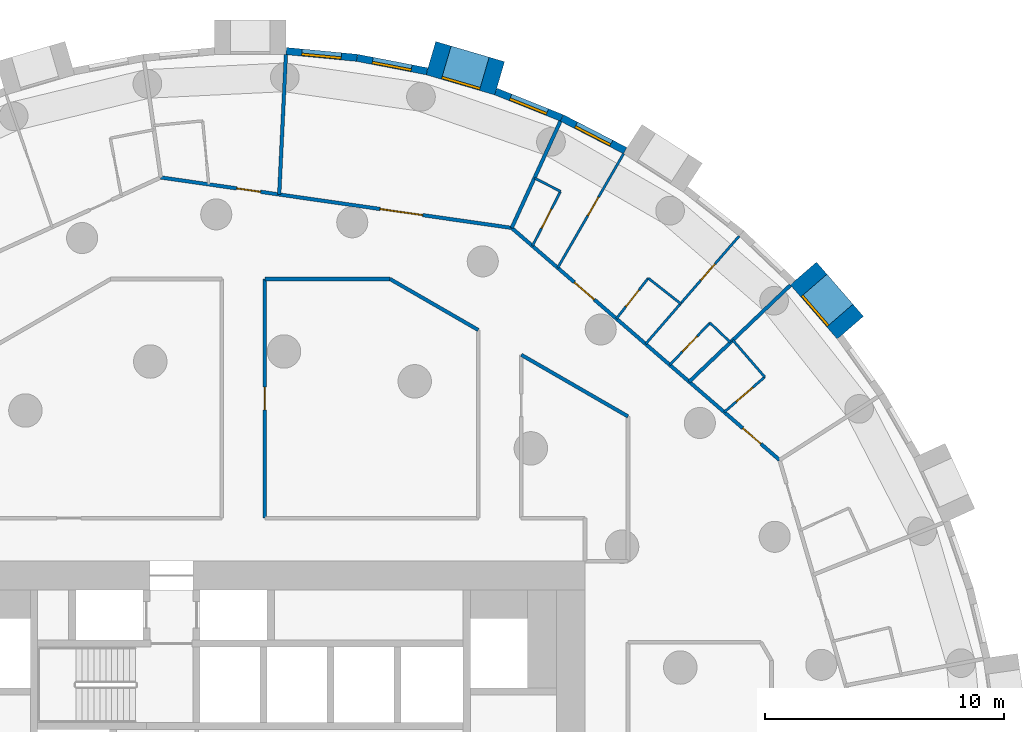
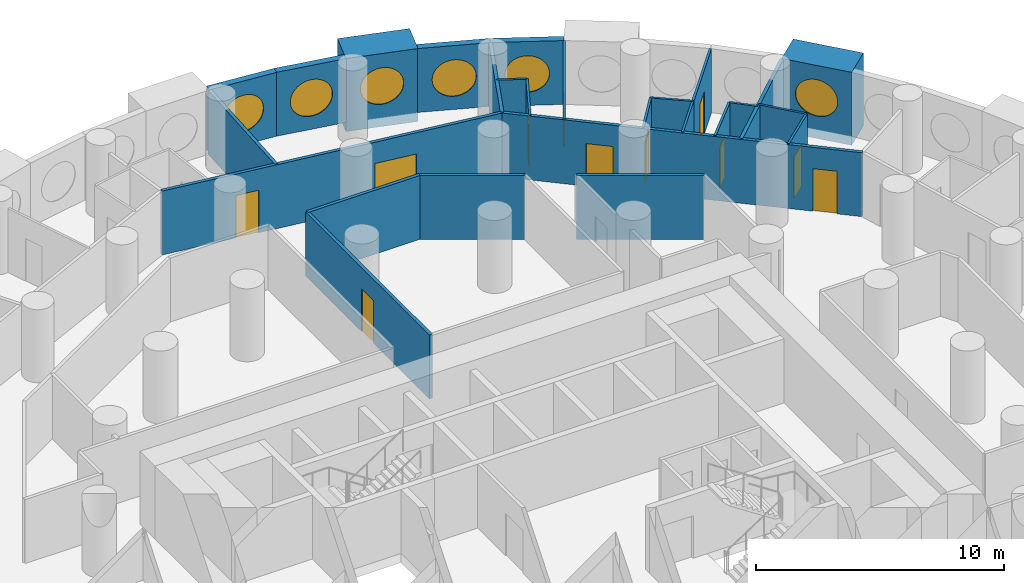
# One storey, part 10 of 12: 26 walls, 11 doors, 6 windows, 17 openings.
"""IFC4 building model written with IfcOpenShell, lengths in metres."""

from ifc_helpers import new_model, si_unit, direction, frame, frame_2d, origin, origin_2d, place, context, subcontext, project, spatial, rectangle, circle, extrude, material, layer, layer_set, type_object, element, fill, save


model = new_model("IFC4")

# Units and contexts
model_context = context("Model", 3, precision=1e-05, world=origin(), true_north=direction((0.0, 1.0)))
body_context = subcontext(model_context, "Body", "Model", "MODEL_VIEW")
ifc_project = project(units=[si_unit("LENGTHUNIT", "METRE"), si_unit("AREAUNIT", "SQUARE_METRE"), si_unit("VOLUMEUNIT", "CUBIC_METRE"), si_unit("PLANEANGLEUNIT", "RADIAN"), si_unit("MASSUNIT", "GRAM", prefix="KILO")], contexts=[model_context])

# Site, building, storey
site_placement = place(None, origin())
site = spatial("IfcSite", under=ifc_project, at=site_placement, CompositionType="ELEMENT")
building_placement = place(site_placement, origin())
building = spatial("IfcBuilding", under=site, at=building_placement, Name="Tracery Tower", CompositionType="ELEMENT")
storey_placement = place(building_placement, frame((0.0, 0.0, 111.0)))
storey = spatial("IfcBuildingStorey", under=building, at=storey_placement, Name="L28", CompositionType="ELEMENT", Elevation=111.0)

# Wall, opening, window
ifc_material_1 = material(Name="Precast concrete C50/60", Category="concrete")
ifc_layer_1 = layer(ifc_material_1, 1.449951171875)
ifc_layer_set_1 = layer_set([ifc_layer_1], Name="Deep-set bay unit 3000 x 3600, slab edge 450")
wall_type_1 = type_object("IfcWallType", Name="Deep-set bay unit 3000 x 3600, slab edge 450", PredefinedType="ELEMENTEDWALL", material=ifc_layer_set_1)
wall_1_placement = place(storey_placement, frame((25.101318359375, 19.765625, -0.449951171875), z_axis=(0.0, 0.0, 1.0), x_axis=(-0.654890259022, 0.75572398972, 0.0)))
wall_1 = element("IfcWall", 1, at=wall_1_placement, inside=storey, type_object=wall_type_1, Name="Deep-set bay unit 8 at L28", PredefinedType="ELEMENTEDWALL", context=body_context, shape_type="SweptSolid", body=[
    extrude(rectangle(XDim=3.0, YDim=1.449951171875, at=frame_2d((1.5, 0.0))), origin(), (0.0, 0.0, 1.0), 3.599853515625),
])
opening_1_placement = place(wall_1_placement, frame((1.5, 0.0, 2.0)))
opening_1 = element("IfcOpeningElement", 2, at=opening_1_placement, cuts=wall_1, Name="Opening WN1", PredefinedType="OPENING", context=body_context, shape_type="SweptSolid", body=[
    extrude(circle(Radius=0.9000244140625, at=origin_2d()), frame((0.0, 0.73486328125, 0.0), z_axis=(0.0, -1.0, 0.0), x_axis=(1.0, 0.0, 0.0)), (0.0, 0.0, 1.0), 1.469970703125),
])
ifc_material_2 = material(Name="Aluminium frame with tinted double glazing", Category="aluminium")
window_type = type_object("IfcWindowType", Name="Round window 1800", PartitioningType="SINGLE_PANEL", PredefinedType="WINDOW", material=ifc_material_2)
window_1_placement = place(opening_1_placement, origin())
window_1 = element("IfcWindow", 3, at=window_1_placement, inside=storey, type_object=window_type, Name="Round window 8 at L28", OverallHeight=1.800048828125, OverallWidth=1.800048828125, PartitioningType="SINGLE_PANEL", PredefinedType="WINDOW", context=body_context, shape_type="SweptSolid", body=[
    extrude(circle(Radius=0.9000244140625, at=origin_2d()), frame((0.0, 0.69482421875, 0.0), z_axis=(0.0, -1.0, 0.0), x_axis=(1.0, 0.0, 0.0)), (0.0, 0.0, 1.0), 0.10009765625),
])
fill(opening_1, window_1)

wall_2_placement = place(storey_placement, frame((10.430419921875, 30.198486328125, -0.449951171875), z_axis=(0.0, 0.0, 1.0), x_axis=(-0.959489813418, 0.281743319258, 0.0)))
wall_2 = element("IfcWall", 4, at=wall_2_placement, inside=storey, type_object=wall_type_1, Name="Deep-set bay unit 14 at L28", PredefinedType="ELEMENTEDWALL", context=body_context, shape_type="SweptSolid", body=[
    extrude(rectangle(XDim=3.0, YDim=1.449951171875, at=frame_2d((1.5, 0.0))), origin(), (0.0, 0.0, 1.0), 3.599853515625),
])
opening_2_placement = place(wall_2_placement, frame((1.5, 0.0, 2.0)))
opening_2 = element("IfcOpeningElement", 5, at=opening_2_placement, cuts=wall_2, Name="Opening WN1", PredefinedType="OPENING", context=body_context, shape_type="SweptSolid", body=[
    extrude(circle(Radius=0.9000244140625, at=origin_2d()), frame((0.0, 0.73486328125, 0.0), z_axis=(0.0, -1.0, 0.0), x_axis=(1.0, 0.0, 0.0)), (0.0, 0.0, 1.0), 1.469970703125),
])
window_2_placement = place(opening_2_placement, origin())
window_2 = element("IfcWindow", 6, at=window_2_placement, inside=storey, type_object=window_type, Name="Round window 14 at L28", OverallHeight=1.800048828125, OverallWidth=1.800048828125, PartitioningType="SINGLE_PANEL", PredefinedType="WINDOW", context=body_context, shape_type="SweptSolid", body=[
    extrude(circle(Radius=0.9000244140625, at=origin_2d()), frame((0.0, 0.69482421875, 0.0), z_axis=(0.0, -1.0, 0.0), x_axis=(1.0, 0.0, 0.0)), (0.0, 0.0, 1.0), 0.10009765625),
])
fill(opening_2, window_2)

ifc_material_3 = material(Name="Precast concrete C50/60", Category="concrete")
ifc_layer_2 = layer(ifc_material_3, 0.300048828125)
ifc_layer_set_2 = layer_set([ifc_layer_2], Name="Facade panel 3000 x 3150")
wall_type_2 = type_object("IfcWallType", Name="Facade panel 3000 x 3150", PredefinedType="SOLIDWALL", material=ifc_layer_set_2)
wall_3_placement = place(storey_placement, frame((15.681884765625, 27.173828125, 0.0), z_axis=(0.0, 0.0, 1.0), x_axis=(-0.888819853856, 0.458256770153, 0.0)))
wall_3 = element("IfcWall", 7, at=wall_3_placement, inside=storey, type_object=wall_type_2, Name="Facade panel 12 at L28", PredefinedType="SOLIDWALL", context=body_context, shape_type="SweptSolid", body=[
    extrude(rectangle(XDim=2.979736328125, YDim=0.300048828125, at=frame_2d((1.48974609375, 0.0))), origin(), (0.0, 0.0, 1.0), 3.14990234375),
])
opening_3_placement = place(wall_3_placement, frame((1.48974609375, 0.0, 1.5498046875)))
opening_3 = element("IfcOpeningElement", 8, at=opening_3_placement, cuts=wall_3, Name="Opening WN1", PredefinedType="OPENING", context=body_context, shape_type="SweptSolid", body=[
    extrude(circle(Radius=0.9000244140625, at=origin_2d()), frame((0.0, 0.159912109375, 0.0), z_axis=(0.0, -1.0, 0.0), x_axis=(1.0, 0.0, 0.0)), (0.0, 0.0, 1.0), 0.320068359375),
])
window_3_placement = place(opening_3_placement, origin())
window_3 = element("IfcWindow", 9, at=window_3_placement, inside=storey, type_object=window_type, Name="Round window 12 at L28", OverallHeight=1.800048828125, OverallWidth=1.800048828125, PartitioningType="SINGLE_PANEL", PredefinedType="WINDOW", context=body_context, shape_type="SweptSolid", body=[
    extrude(circle(Radius=0.9000244140625, at=origin_2d()), frame((0.0, 0.1201171875, 0.0), z_axis=(0.0, -1.0, 0.0), x_axis=(1.0, 0.0, 0.0)), (0.0, 0.0, 1.0), 0.10009765625),
])
fill(opening_3, window_3)

wall_4_placement = place(storey_placement, frame((13.033447265625, 28.539306640625, 0.0), z_axis=(0.0, 0.0, 1.0), x_axis=(-0.928403213937, 0.371574316054, 0.0)))
wall_4 = element("IfcWall", 10, at=wall_4_placement, inside=storey, type_object=wall_type_2, Name="Facade panel 13 at L28", PredefinedType="SOLIDWALL", context=body_context, shape_type="SweptSolid", body=[
    extrude(rectangle(XDim=2.979736328125, YDim=0.300048828125, at=frame_2d((1.48974609375, 0.0))), origin(), (0.0, 0.0, 1.0), 3.14990234375),
])
opening_4_placement = place(wall_4_placement, frame((1.48974609375, 0.0, 1.5498046875)))
opening_4 = element("IfcOpeningElement", 11, at=opening_4_placement, cuts=wall_4, Name="Opening WN1", PredefinedType="OPENING", context=body_context, shape_type="SweptSolid", body=[
    extrude(circle(Radius=0.9000244140625, at=origin_2d()), frame((0.0, 0.159912109375, 0.0), z_axis=(0.0, -1.0, 0.0), x_axis=(1.0, 0.0, 0.0)), (0.0, 0.0, 1.0), 0.320068359375),
])
window_4_placement = place(opening_4_placement, origin())
window_4 = element("IfcWindow", 12, at=window_4_placement, inside=storey, type_object=window_type, Name="Round window 13 at L28", OverallHeight=1.800048828125, OverallWidth=1.800048828125, PartitioningType="SINGLE_PANEL", PredefinedType="WINDOW", context=body_context, shape_type="SweptSolid", body=[
    extrude(circle(Radius=0.9000244140625, at=origin_2d()), frame((0.0, 0.1201171875, 0.0), z_axis=(0.0, -1.0, 0.0), x_axis=(1.0, 0.0, 0.0)), (0.0, 0.0, 1.0), 0.10009765625),
])
fill(opening_4, window_4)

wall_5_placement = place(storey_placement, frame((7.390869140625, 30.4912109375, 0.0), z_axis=(0.0, 0.0, 1.0), x_axis=(-0.981924535406, 0.189272836848, 0.0)))
wall_5 = element("IfcWall", 13, at=wall_5_placement, inside=storey, type_object=wall_type_2, Name="Facade panel 15 at L28", PredefinedType="SOLIDWALL", context=body_context, shape_type="SweptSolid", body=[
    extrude(rectangle(XDim=2.979736328125, YDim=0.300048828125, at=frame_2d((1.48974609375, 0.0))), origin(), (0.0, 0.0, 1.0), 3.14990234375),
])
opening_5_placement = place(wall_5_placement, frame((1.48974609375, 0.0, 1.5498046875)))
opening_5 = element("IfcOpeningElement", 14, at=opening_5_placement, cuts=wall_5, Name="Opening WN1", PredefinedType="OPENING", context=body_context, shape_type="SweptSolid", body=[
    extrude(circle(Radius=0.9000244140625, at=origin_2d()), frame((0.0, 0.159912109375, 0.0), z_axis=(0.0, -1.0, 0.0), x_axis=(1.0, 0.0, 0.0)), (0.0, 0.0, 1.0), 0.320068359375),
])
window_5_placement = place(opening_5_placement, origin())
window_5 = element("IfcWindow", 15, at=window_5_placement, inside=storey, type_object=window_type, Name="Round window 15 at L28", OverallHeight=1.800048828125, OverallWidth=1.800048828125, PartitioningType="SINGLE_PANEL", PredefinedType="WINDOW", context=body_context, shape_type="SweptSolid", body=[
    extrude(circle(Radius=0.9000244140625, at=origin_2d()), frame((0.0, 0.1201171875, 0.0), z_axis=(0.0, -1.0, 0.0), x_axis=(1.0, 0.0, 0.0)), (0.0, 0.0, 1.0), 0.10009765625),
])
fill(opening_5, window_5)

wall_6_placement = place(storey_placement, frame((4.465087890625, 31.05517578125, 0.0), z_axis=(0.0, 0.0, 1.0), x_axis=(-0.995473351551, 0.095041077185, 0.0)))
wall_6 = element("IfcWall", 16, at=wall_6_placement, inside=storey, type_object=wall_type_2, Name="Facade panel 16 at L28", PredefinedType="SOLIDWALL", context=body_context, shape_type="SweptSolid", body=[
    extrude(rectangle(XDim=2.979736328125, YDim=0.300048828125, at=frame_2d((1.48974609375, 0.0))), origin(), (0.0, 0.0, 1.0), 3.14990234375),
])
opening_6_placement = place(wall_6_placement, frame((1.48974609375, 0.0, 1.5498046875)))
opening_6 = element("IfcOpeningElement", 17, at=opening_6_placement, cuts=wall_6, Name="Opening WN1", PredefinedType="OPENING", context=body_context, shape_type="SweptSolid", body=[
    extrude(circle(Radius=0.9000244140625, at=origin_2d()), frame((0.0, 0.159912109375, 0.0), z_axis=(0.0, -1.0, 0.0), x_axis=(1.0, 0.0, 0.0)), (0.0, 0.0, 1.0), 0.320068359375),
])
window_6_placement = place(opening_6_placement, origin())
window_6 = element("IfcWindow", 18, at=window_6_placement, inside=storey, type_object=window_type, Name="Round window 16 at L28", OverallHeight=1.800048828125, OverallWidth=1.800048828125, PartitioningType="SINGLE_PANEL", PredefinedType="WINDOW", context=body_context, shape_type="SweptSolid", body=[
    extrude(circle(Radius=0.9000244140625, at=origin_2d()), frame((0.0, 0.1201171875, 0.0), z_axis=(0.0, -1.0, 0.0), x_axis=(1.0, 0.0, 0.0)), (0.0, 0.0, 1.0), 0.10009765625),
])
fill(opening_6, window_6)

# Wall, opening, door
ifc_material_4 = material(Name="Plasterboard on steel studs", Category="steel")
ifc_layer_3 = layer(ifc_material_4, 0.10009765625)
ifc_layer_set_3 = layer_set([ifc_layer_3], Name="Partition 100 stud")
wall_type_3 = type_object("IfcWallType", Name="Partition 100 stud", PredefinedType="PARTITIONING", material=ifc_layer_set_3)
wall_7_placement = place(storey_placement, frame((18.0, 20.77294921875, 0.0), z_axis=(0.0, 0.0, 1.0), x_axis=(0.654885780154, 0.755727870964, 0.0)))
wall_7 = element("IfcWall", 19, at=wall_7_placement, inside=storey, type_object=wall_type_3, Name="Stud partition RA8-075", PredefinedType="PARTITIONING", context=body_context, shape_type="SweptSolid", body=[
    extrude(rectangle(XDim=3.738037109375, YDim=0.10009765625, at=frame_2d((1.869140625, 0.0))), origin(), (0.0, 0.0, 1.0), 3.14990234375),
])
opening_7_placement = place(wall_7_placement, frame((1.297119140625, 0.0, 0.0)))
opening_7 = element("IfcOpeningElement", 20, at=opening_7_placement, cuts=wall_7, Name="Opening RA8-20", PredefinedType="OPENING", context=body_context, shape_type="SweptSolid", body=[
    extrude(rectangle(XDim=0.89990234375, YDim=2.10009765625, at=frame_2d((0.449951171875, 1.050048828125))), frame((0.0, 0.050048828125, 0.0), z_axis=(0.0, -1.0, 0.0), x_axis=(1.0, 0.0, 0.0)), (0.0, 0.0, 1.0), 0.10009765625),
])
ifc_material_5 = material(Name="Timber door leaf", Category="wood")
door_type_1 = type_object("IfcDoorType", Name="Door bedroom 900", OperationType="NOTDEFINED", PredefinedType="DOOR", material=ifc_material_5)
door_1_placement = place(opening_7_placement, origin())
door_1 = element("IfcDoor", 21, at=door_1_placement, inside=storey, type_object=door_type_1, Name="Bedroom door RA8-20", OperationType="SINGLE_SWING_RIGHT", OverallHeight=2.10009765625, OverallWidth=0.89990234375, PredefinedType="DOOR", context=body_context, shape_type="SweptSolid", body=[
    extrude(rectangle(XDim=0.89990234375, YDim=2.10009765625, at=frame_2d((0.449951171875, 1.050048828125))), frame((0.0, 0.02490234375, 0.0), z_axis=(0.0, -1.0, 0.0), x_axis=(1.0, 0.0, 0.0)), (0.0, 0.0, 1.0), 0.050048828125),
])
fill(opening_7, door_1)

wall_8_placement = place(storey_placement, frame((12.85888671875, 22.27197265625, 0.0), z_axis=(0.0, 0.0, 1.0), x_axis=(0.499968073049, 0.866043836033, 0.0)))
wall_8 = element("IfcWall", 22, at=wall_8_placement, inside=storey, type_object=wall_type_3, Name="Stud partition RA8-076", PredefinedType="PARTITIONING", context=body_context, shape_type="SweptSolid", body=[
    extrude(rectangle(XDim=5.506591796875, YDim=0.10009765625, at=frame_2d((2.75341796875, 0.0))), origin(), (0.0, 0.0, 1.0), 3.14990234375),
])
opening_8_placement = place(wall_8_placement, frame((2.513916015625, 0.0, 0.0)))
opening_8 = element("IfcOpeningElement", 23, at=opening_8_placement, cuts=wall_8, Name="Opening RA8-22", PredefinedType="OPENING", context=body_context, shape_type="SweptSolid", body=[
    extrude(rectangle(XDim=0.89990234375, YDim=2.10009765625, at=frame_2d((0.449951171875, 1.050048828125))), frame((0.0, 0.050048828125, 0.0), z_axis=(0.0, -1.0, 0.0), x_axis=(1.0, 0.0, 0.0)), (0.0, 0.0, 1.0), 0.10009765625),
])
door_2_placement = place(opening_8_placement, origin())
door_2 = element("IfcDoor", 24, at=door_2_placement, inside=storey, type_object=door_type_1, Name="Bedroom door RA8-22", OperationType="SINGLE_SWING_RIGHT", OverallHeight=2.10009765625, OverallWidth=0.89990234375, PredefinedType="DOOR", context=body_context, shape_type="SweptSolid", body=[
    extrude(rectangle(XDim=0.89990234375, YDim=2.10009765625, at=frame_2d((0.449951171875, 1.050048828125))), frame((0.0, 0.02490234375, 0.0), z_axis=(0.0, -1.0, 0.0), x_axis=(1.0, 0.0, 0.0)), (0.0, 0.0, 1.0), 0.050048828125),
])
fill(opening_8, door_2)

ifc_material_6 = material(Name="Plasterboard on steel studs", Category="steel")
ifc_layer_4 = layer(ifc_material_6, 0.10009765625)
ifc_layer_set_4 = layer_set([ifc_layer_4], Name="Partition 100 wet wall")
wall_type_4 = type_object("IfcWallType", Name="Partition 100 wet wall", PredefinedType="PARTITIONING", material=ifc_layer_set_4)
wall_9_placement = place(storey_placement, frame((19.825927734375, 16.23388671875, 0.0), z_axis=(0.0, 0.0, 1.0), x_axis=(0.755703447798, 0.654913963042, 0.0)))
wall_9 = element("IfcWall", 25, at=wall_9_placement, inside=storey, type_object=wall_type_4, Name="Wet wall RA8-070", PredefinedType="PARTITIONING", context=body_context, shape_type="SweptSolid", body=[
    extrude(rectangle(XDim=2.242919921875, YDim=0.10009765625, at=frame_2d((1.12158203125, 0.0))), origin(), (0.0, 0.0, 1.0), 3.14990234375),
])
opening_9_placement = place(wall_9_placement, frame((0.6708984375, 0.0, 0.0)))
opening_9 = element("IfcOpeningElement", 26, at=opening_9_placement, cuts=wall_9, Name="Opening RA8-16", PredefinedType="OPENING", context=body_context, shape_type="SweptSolid", body=[
    extrude(rectangle(XDim=0.89990234375, YDim=2.0400390625, at=frame_2d((0.449951171875, 1.02001953125))), frame((0.0, 0.050048828125, 0.0), z_axis=(0.0, -1.0, 0.0), x_axis=(1.0, 0.0, 0.0)), (0.0, 0.0, 1.0), 0.10009765625),
])
ifc_material_7 = material(Name="Timber door leaf", Category="wood")
door_type_2 = type_object("IfcDoorType", Name="Door en-suite 900", OperationType="NOTDEFINED", PredefinedType="DOOR", material=ifc_material_7)
door_3_placement = place(opening_9_placement, origin())
door_3 = element("IfcDoor", 27, at=door_3_placement, inside=storey, type_object=door_type_2, Name="En-suite door RA8-16", OperationType="SINGLE_SWING_LEFT", OverallHeight=2.0400390625, OverallWidth=0.89990234375, PredefinedType="DOOR", context=body_context, shape_type="SweptSolid", body=[
    extrude(rectangle(XDim=0.89990234375, YDim=2.0400390625, at=frame_2d((0.449951171875, 1.02001953125))), frame((0.0, 0.02490234375, 0.0), z_axis=(0.0, -1.0, 0.0), x_axis=(1.0, 0.0, 0.0)), (0.0, 0.0, 1.0), 0.050048828125),
])
fill(opening_9, door_3)

# Walls
wall_10_placement = place(storey_placement, frame((20.18408203125, 19.2451171875, 0.0), z_axis=(0.0, 0.0, 1.0), x_axis=(0.655017058368, -0.755614090159, 0.0)))
element("IfcWall", 28, at=wall_10_placement, inside=storey, type_object=wall_type_4, Name="Wet wall RA8-071", PredefinedType="PARTITIONING", context=body_context, shape_type="SweptSolid", body=[
    extrude(rectangle(XDim=2.041015625, YDim=0.10009765625, at=frame_2d((1.0205078125, 0.0))), origin(), (0.0, 0.0, 1.0), 3.14990234375),
])
wall_11_placement = place(storey_placement, frame((16.64599609375, 21.837890625, 0.0), z_axis=(0.0, 0.0, 1.0), x_axis=(0.78601333061, -0.618209547082, 0.0)))
element("IfcWall", 29, at=wall_11_placement, inside=storey, type_object=wall_type_4, Name="Wet wall RA8-073", PredefinedType="PARTITIONING", context=body_context, shape_type="SweptSolid", body=[
    extrude(rectangle(XDim=1.72265625, YDim=0.10009765625, at=frame_2d((0.861328125, 0.0))), origin(), (0.0, 0.0, 1.0), 3.14990234375),
])

# Wall, opening, door
wall_12_placement = place(storey_placement, frame((15.31494140625, 20.14404296875, 0.0), z_axis=(0.0, 0.0, 1.0), x_axis=(0.617871601496, 0.786279011588, 0.0)))
wall_12 = element("IfcWall", 30, at=wall_12_placement, inside=storey, type_object=wall_type_4, Name="Wet wall RA8-074", PredefinedType="PARTITIONING", context=body_context, shape_type="SweptSolid", body=[
    extrude(rectangle(XDim=2.154296875, YDim=0.10009765625, at=frame_2d((1.0771484375, 0.0))), origin(), (0.0, 0.0, 1.0), 3.14990234375),
])
opening_10_placement = place(wall_12_placement, frame((0.627197265625, 0.0, 0.0)))
opening_10 = element("IfcOpeningElement", 31, at=opening_10_placement, cuts=wall_12, Name="Opening RA8-19", PredefinedType="OPENING", context=body_context, shape_type="SweptSolid", body=[
    extrude(rectangle(XDim=0.89990234375, YDim=2.0, at=frame_2d((0.449951171875, 1.0))), frame((0.0, 0.050048828125, 0.0), z_axis=(0.0, -1.0, 0.0), x_axis=(1.0, 0.0, 0.0)), (0.0, 0.0, 1.0), 0.10009765625),
])
ifc_material_8 = material(Name="Timber door leaf", Category="wood")
door_type_3 = type_object("IfcDoorType", Name="Door shower room 900", OperationType="NOTDEFINED", PredefinedType="DOOR", material=ifc_material_8)
door_4_placement = place(opening_10_placement, origin())
door_4 = element("IfcDoor", 32, at=door_4_placement, inside=storey, type_object=door_type_3, Name="Shower room door RA8-19", OperationType="SINGLE_SWING_LEFT", OverallHeight=2.0, OverallWidth=0.89990234375, PredefinedType="DOOR", context=body_context, shape_type="SweptSolid", body=[
    extrude(rectangle(XDim=0.89990234375, YDim=2.0, at=frame_2d((0.449951171875, 1.0))), frame((0.0, 0.02490234375, 0.0), z_axis=(0.0, -1.0, 0.0), x_axis=(1.0, 0.0, 0.0)), (0.0, 0.0, 1.0), 0.050048828125),
])
fill(opening_10, door_4)

# Walls
wall_13_placement = place(storey_placement, frame((16.537109375, 19.0849609375, 0.0), z_axis=(0.0, 0.0, 1.0), x_axis=(0.654922216086, 0.755696295397, 0.0)))
element("IfcWall", 33, at=wall_13_placement, inside=storey, type_object=wall_type_4, Name="Wet wall RA8-077", PredefinedType="PARTITIONING", context=body_context, shape_type="SweptSolid", body=[
    extrude(rectangle(XDim=2.233642578125, YDim=0.10009765625, at=frame_2d((1.11669921875, 0.0))), origin(), (0.0, 0.0, 1.0), 3.14990234375),
])
wall_14_placement = place(storey_placement, frame((19.22705078125, 19.968017578125, 0.0), z_axis=(0.0, 0.0, 1.0), x_axis=(0.724103627225, -0.68969118962, 0.0)))
element("IfcWall", 34, at=wall_14_placement, inside=storey, type_object=wall_type_4, Name="Wet wall RA8-078", PredefinedType="PARTITIONING", context=body_context, shape_type="SweptSolid", body=[
    extrude(rectangle(XDim=1.184814453125, YDim=0.10009765625, at=frame_2d((0.59228515625, 0.0))), origin(), (0.0, 0.0, 1.0), 3.14990234375),
])

# Wall, opening, door
wall_15_placement = place(storey_placement, frame((17.549072265625, 18.2080078125, 0.0), z_axis=(0.0, 0.0, 1.0), x_axis=(0.690038643162, 0.723772527071, 0.0)))
wall_15 = element("IfcWall", 35, at=wall_15_placement, inside=storey, type_object=wall_type_4, Name="Wet wall RA8-079", PredefinedType="PARTITIONING", context=body_context, shape_type="SweptSolid", body=[
    extrude(rectangle(XDim=2.431640625, YDim=0.10009765625, at=frame_2d((1.2158203125, 0.0))), origin(), (0.0, 0.0, 1.0), 3.14990234375),
])
opening_11_placement = place(wall_15_placement, frame((0.765625, 0.0, 0.0)))
opening_11 = element("IfcOpeningElement", 36, at=opening_11_placement, cuts=wall_15, Name="Opening RA8-21", PredefinedType="OPENING", context=body_context, shape_type="SweptSolid", body=[
    extrude(rectangle(XDim=0.89990234375, YDim=2.0400390625, at=frame_2d((0.449951171875, 1.02001953125))), frame((0.0, 0.050048828125, 0.0), z_axis=(0.0, -1.0, 0.0), x_axis=(1.0, 0.0, 0.0)), (0.0, 0.0, 1.0), 0.10009765625),
])
door_5_placement = place(opening_11_placement, origin())
door_5 = element("IfcDoor", 37, at=door_5_placement, inside=storey, type_object=door_type_2, Name="En-suite door RA8-21", OperationType="SINGLE_SWING_RIGHT", OverallHeight=2.0400390625, OverallWidth=0.89990234375, PredefinedType="DOOR", context=body_context, shape_type="SweptSolid", body=[
    extrude(rectangle(XDim=0.89990234375, YDim=2.0400390625, at=frame_2d((0.449951171875, 1.02001953125))), frame((0.0, 0.02490234375, 0.0), z_axis=(0.0, -1.0, 0.0), x_axis=(1.0, 0.0, 0.0)), (0.0, 0.0, 1.0), 0.050048828125),
])
fill(opening_11, door_5)

wall_16_placement = place(storey_placement, frame((11.802001953125, 23.18798828125, 0.0), z_axis=(0.0, 0.0, 1.0), x_axis=(0.457961150758, 0.888972206763, 0.0)))
wall_16 = element("IfcWall", 38, at=wall_16_placement, inside=storey, type_object=wall_type_4, Name="Wet wall RA8-080", PredefinedType="PARTITIONING", context=body_context, shape_type="SweptSolid", body=[
    extrude(rectangle(XDim=2.563720703125, YDim=0.10009765625, at=frame_2d((1.28173828125, 0.0))), origin(), (0.0, 0.0, 1.0), 3.14990234375),
])
opening_12_placement = place(wall_16_placement, frame((0.83203125, 0.0, 0.0)))
opening_12 = element("IfcOpeningElement", 39, at=opening_12_placement, cuts=wall_16, Name="Opening RA8-23", PredefinedType="OPENING", context=body_context, shape_type="SweptSolid", body=[
    extrude(rectangle(XDim=0.89990234375, YDim=2.0400390625, at=frame_2d((0.449951171875, 1.02001953125))), frame((0.0, 0.050048828125, 0.0), z_axis=(0.0, -1.0, 0.0), x_axis=(1.0, 0.0, 0.0)), (0.0, 0.0, 1.0), 0.10009765625),
])
door_6_placement = place(opening_12_placement, origin())
door_6 = element("IfcDoor", 40, at=door_6_placement, inside=storey, type_object=door_type_2, Name="En-suite door RA8-23", OperationType="SINGLE_SWING_RIGHT", OverallHeight=2.0400390625, OverallWidth=0.89990234375, PredefinedType="DOOR", context=body_context, shape_type="SweptSolid", body=[
    extrude(rectangle(XDim=0.89990234375, YDim=2.0400390625, at=frame_2d((0.449951171875, 1.02001953125))), frame((0.0, 0.02490234375, 0.0), z_axis=(0.0, -1.0, 0.0), x_axis=(1.0, 0.0, 0.0)), (0.0, 0.0, 1.0), 0.050048828125),
])
fill(opening_12, door_6)

# Walls
wall_17_placement = place(storey_placement, frame((11.886962890625, 26.028076171875, 0.0), z_axis=(0.0, 0.0, 1.0), x_axis=(0.888981931645, -0.457942272791, 0.0)))
element("IfcWall", 41, at=wall_17_placement, inside=storey, type_object=wall_type_4, Name="Wet wall RA8-081", PredefinedType="PARTITIONING", context=body_context, shape_type="SweptSolid", body=[
    extrude(rectangle(XDim=1.22509765625, YDim=0.10009765625, at=frame_2d((0.612548828125, 0.0))), origin(), (0.0, 0.0, 1.0), 3.14990234375),
])
ifc_material_9 = material(Name="Plasterboard on steel studs", Category="steel")
ifc_layer_5 = layer(ifc_material_9, 0.14990234375)
ifc_layer_set_5 = layer_set([ifc_layer_5], Name="Partition 150 acoustic unit wall")
wall_type_5 = type_object("IfcWallType", Name="Partition 150 acoustic unit wall", PredefinedType="PARTITIONING", material=ifc_layer_set_5)
wall_18_placement = place(storey_placement, frame((18.359619140625, 17.50537109375, 0.0), z_axis=(0.0, 0.0, 1.0), x_axis=(0.723686703731, 0.690128650937, 0.0)))
element("IfcWall", 42, at=wall_18_placement, inside=storey, type_object=wall_type_5, Name="Unit wall RA8-072", PredefinedType="PARTITIONING", context=body_context, shape_type="SweptSolid", body=[
    extrude(rectangle(XDim=5.8564453125, YDim=0.14990234375, at=frame_2d((2.92822265625, 0.0))), origin(), (0.0, 0.0, 1.0), 3.14990234375),
])
wall_19_placement = place(storey_placement, frame((10.933837890625, 23.939697265625, 0.0), z_axis=(0.0, 0.0, 1.0), x_axis=(0.415204619086, 0.909728049633, 0.0)))
element("IfcWall", 43, at=wall_19_placement, inside=storey, type_object=wall_type_5, Name="Unit wall RA8-082", PredefinedType="PARTITIONING", context=body_context, shape_type="SweptSolid", body=[
    extrude(rectangle(XDim=4.90625, YDim=0.14990234375, at=frame_2d((2.453125, 0.0))), origin(), (0.0, 0.0, 1.0), 3.14990234375),
])
wall_20_placement = place(storey_placement, frame((1.20703125, 25.339111328125, 0.0), z_axis=(0.0, 0.0, 1.0), x_axis=(0.047648334785, 0.998864173045, 0.0)))
element("IfcWall", 44, at=wall_20_placement, inside=storey, type_object=wall_type_5, Name="Unit wall RA8-083", PredefinedType="PARTITIONING", context=body_context, shape_type="SweptSolid", body=[
    extrude(rectangle(XDim=5.8564453125, YDim=0.14990234375, at=frame_2d((2.92822265625, 0.0))), origin(), (0.0, 0.0, 1.0), 3.14990234375),
])

# Wall, openings, doors
ifc_material_10 = material(Name="Plasterboard on steel studs", Category="steel")
ifc_layer_6 = layer(ifc_material_10, 0.14990234375)
ifc_layer_set_6 = layer_set([ifc_layer_6], Name="Partition 150 corridor wall")
wall_type_6 = type_object("IfcWallType", Name="Partition 150 corridor wall", PredefinedType="PARTITIONING", material=ifc_layer_set_6)
wall_21_placement = place(storey_placement, frame((10.93212890625, 23.93896484375, 0.0), z_axis=(0.0, 0.0, 1.0), x_axis=(0.755838982892, -0.654757536757, 0.0)))
wall_21 = element("IfcWall", 45, at=wall_21_placement, inside=storey, type_object=wall_type_6, Name="Corridor wall RA8-022", PredefinedType="PARTITIONING", context=body_context, shape_type="SweptSolid", body=[
    extrude(rectangle(XDim=14.829833984375, YDim=0.14990234375, at=frame_2d((7.4150390625, 0.0))), origin(), (0.0, 0.0, 1.0), 3.14990234375),
])
opening_13_placement = place(wall_21_placement, frame((12.7958984375, 0.0, 0.0)))
opening_13 = element("IfcOpeningElement", 46, at=opening_13_placement, cuts=wall_21, Name="Opening RA8-17", PredefinedType="OPENING", context=body_context, shape_type="SweptSolid", body=[
    extrude(rectangle(XDim=1.0, YDim=2.10009765625, at=frame_2d((0.5, 1.050048828125))), frame((0.0, 0.074951171875, 0.0), z_axis=(0.0, -1.0, 0.0), x_axis=(1.0, 0.0, 0.0)), (0.0, 0.0, 1.0), 0.14990234375),
])
opening_14_placement = place(wall_21_placement, frame((3.472412109375, 0.0, 0.0)))
opening_14 = element("IfcOpeningElement", 47, at=opening_14_placement, cuts=wall_21, Name="Opening RA8-18", PredefinedType="OPENING", context=body_context, shape_type="SweptSolid", body=[
    extrude(rectangle(XDim=1.10009765625, YDim=2.10009765625, at=frame_2d((0.550048828125, 1.050048828125))), frame((0.0, 0.074951171875, 0.0), z_axis=(0.0, -1.0, 0.0), x_axis=(1.0, 0.0, 0.0)), (0.0, 0.0, 1.0), 0.14990234375),
])
ifc_material_11 = material(Name="Timber door leaf", Category="wood")
door_type_4 = type_object("IfcDoorType", Name="Door cluster entrance 1100", OperationType="NOTDEFINED", PredefinedType="DOOR", material=ifc_material_11)
door_7_placement = place(opening_14_placement, origin())
door_7 = element("IfcDoor", 48, at=door_7_placement, inside=storey, type_object=door_type_4, Name="Cluster entrance door RA8-18", OperationType="SINGLE_SWING_LEFT", OverallHeight=2.10009765625, OverallWidth=1.10009765625, PredefinedType="DOOR", context=body_context, shape_type="SweptSolid", body=[
    extrude(rectangle(XDim=1.10009765625, YDim=2.10009765625, at=frame_2d((0.550048828125, 1.050048828125))), frame((0.0, 0.02490234375, 0.0), z_axis=(0.0, -1.0, 0.0), x_axis=(1.0, 0.0, 0.0)), (0.0, 0.0, 1.0), 0.050048828125),
])
fill(opening_14, door_7)
ifc_material_12 = material(Name="Timber door leaf", Category="wood")
door_type_5 = type_object("IfcDoorType", Name="Door unit entrance 1000", OperationType="NOTDEFINED", PredefinedType="DOOR", material=ifc_material_12)
door_8_placement = place(opening_13_placement, origin())
door_8 = element("IfcDoor", 49, at=door_8_placement, inside=storey, type_object=door_type_5, Name="Unit entrance door RA8-17", OperationType="SINGLE_SWING_LEFT", OverallHeight=2.10009765625, OverallWidth=1.0, PredefinedType="DOOR", context=body_context, shape_type="SweptSolid", body=[
    extrude(rectangle(XDim=1.0, YDim=2.10009765625, at=frame_2d((0.5, 1.050048828125))), frame((0.0, 0.02490234375, 0.0), z_axis=(0.0, -1.0, 0.0), x_axis=(1.0, 0.0, 0.0)), (0.0, 0.0, 1.0), 0.050048828125),
])
fill(opening_13, door_8)

# Walls
wall_22_placement = place(storey_placement, frame((5.842041015625, 21.802001953125, 0.0), z_axis=(0.0, 0.0, 1.0), x_axis=(0.865983505205, -0.500072563448, 0.0)))
element("IfcWall", 50, at=wall_22_placement, inside=storey, type_object=wall_type_6, Name="Corridor wall RA8-029", PredefinedType="PARTITIONING", context=body_context, shape_type="SweptSolid", body=[
    extrude(rectangle(XDim=4.265380859375, YDim=0.14990234375, at=frame_2d((2.1328125, 0.0))), origin(), (0.0, 0.0, 1.0), 3.14990234375),
])
wall_23_placement = place(storey_placement, frame((0.60791015625, 21.802001953125, 0.0), z_axis=(0.0, 0.0, 1.0), x_axis=(1.0, 0.0, 0.0)))
element("IfcWall", 51, at=wall_23_placement, inside=storey, type_object=wall_type_6, Name="Corridor wall RA8-030", PredefinedType="PARTITIONING", context=body_context, shape_type="SweptSolid", body=[
    extrude(rectangle(XDim=5.234130859375, YDim=0.14990234375, at=frame_2d((2.6171875, 0.0))), origin(), (0.0, 0.0, 1.0), 3.14990234375),
])

# Wall, opening, door
wall_24_placement = place(storey_placement, frame((0.60791015625, 11.800048828125, 0.0), z_axis=(0.0, 0.0, 1.0), x_axis=(0.0, 1.0, 0.0)))
wall_24 = element("IfcWall", 52, at=wall_24_placement, inside=storey, type_object=wall_type_6, Name="Corridor wall RA8-031", PredefinedType="PARTITIONING", context=body_context, shape_type="SweptSolid", body=[
    extrude(rectangle(XDim=10.001953125, YDim=0.14990234375, at=frame_2d((5.0009765625, 0.0))), origin(), (0.0, 0.0, 1.0), 3.14990234375),
])
opening_15_placement = place(wall_24_placement, frame((4.52587890625, 0.0, 0.0)))
opening_15 = element("IfcOpeningElement", 53, at=opening_15_placement, cuts=wall_24, Name="Opening RA8-02", PredefinedType="OPENING", context=body_context, shape_type="SweptSolid", body=[
    extrude(rectangle(XDim=0.949951171875, YDim=2.10009765625, at=frame_2d((0.47509765625, 1.050048828125))), frame((0.0, 0.074951171875, 0.0), z_axis=(0.0, -1.0, 0.0), x_axis=(1.0, 0.0, 0.0)), (0.0, 0.0, 1.0), 0.14990234375),
])
ifc_material_13 = material(Name="Timber door leaf", Category="wood")
door_type_6 = type_object("IfcDoorType", Name="Door store 950", OperationType="NOTDEFINED", PredefinedType="DOOR", material=ifc_material_13)
door_9_placement = place(opening_15_placement, origin())
door_9 = element("IfcDoor", 54, at=door_9_placement, inside=storey, type_object=door_type_6, Name="Store door RA8-02", OperationType="SINGLE_SWING_RIGHT", OverallHeight=2.10009765625, OverallWidth=0.949951171875, PredefinedType="DOOR", context=body_context, shape_type="SweptSolid", body=[
    extrude(rectangle(XDim=0.949951171875, YDim=2.10009765625, at=frame_2d((0.47509765625, 1.050048828125))), frame((0.0, 0.02490234375, 0.0), z_axis=(0.0, -1.0, 0.0), x_axis=(1.0, 0.0, 0.0)), (0.0, 0.0, 1.0), 0.050048828125),
])
fill(opening_15, door_9)

# Wall
wall_25_placement = place(storey_placement, frame((11.3359375, 18.6298828125, 0.0), z_axis=(0.0, 0.0, 1.0), x_axis=(0.866063337164, -0.499934291702, 0.0)))
element("IfcWall", 55, at=wall_25_placement, inside=storey, type_object=wall_type_6, Name="Corridor wall RA8-032", PredefinedType="PARTITIONING", context=body_context, shape_type="SweptSolid", body=[
    extrude(rectangle(XDim=5.154541015625, YDim=0.14990234375, at=frame_2d((2.5771484375, 0.0))), origin(), (0.0, 0.0, 1.0), 3.14990234375),
])

# Wall, openings, doors
wall_26_placement = place(storey_placement, frame((-3.74609375, 26.050537109375, 0.0), z_axis=(0.0, 0.0, 1.0), x_axis=(0.989821009857, -0.142317843033, 0.0)))
wall_26 = element("IfcWall", 56, at=wall_26_placement, inside=storey, type_object=wall_type_6, Name="Corridor wall RA8-034", PredefinedType="PARTITIONING", context=body_context, shape_type="SweptSolid", body=[
    extrude(rectangle(XDim=14.830078125, YDim=0.14990234375, at=frame_2d((7.4150390625, 0.0))), origin(), (0.0, 0.0, 1.0), 3.14990234375),
])
opening_16_placement = place(wall_26_placement, frame((9.264892578125, 0.0, 0.0)))
opening_16 = element("IfcOpeningElement", 57, at=opening_16_placement, cuts=wall_26, Name="Opening RA8-24", PredefinedType="OPENING", context=body_context, shape_type="SweptSolid", body=[
    extrude(rectangle(XDim=1.800048828125, YDim=2.10009765625, at=frame_2d((0.89990234375, 1.050048828125))), frame((0.0, 0.074951171875, 0.0), z_axis=(0.0, -1.0, 0.0), x_axis=(1.0, 0.0, 0.0)), (0.0, 0.0, 1.0), 0.14990234375),
])
opening_17_placement = place(wall_26_placement, frame((3.213623046875, 0.0, 0.0)))
opening_17 = element("IfcOpeningElement", 58, at=opening_17_placement, cuts=wall_26, Name="Opening RA8-26", PredefinedType="OPENING", context=body_context, shape_type="SweptSolid", body=[
    extrude(rectangle(XDim=1.0, YDim=2.10009765625, at=frame_2d((0.5, 1.050048828125))), frame((0.0, 0.074951171875, 0.0), z_axis=(0.0, -1.0, 0.0), x_axis=(1.0, 0.0, 0.0)), (0.0, 0.0, 1.0), 0.14990234375),
])
ifc_material_14 = material(Name="Timber door leaf", Category="wood")
door_type_7 = type_object("IfcDoorType", Name="Door double lounge 1800", OperationType="NOTDEFINED", PredefinedType="DOOR", material=ifc_material_14)
door_10_placement = place(opening_16_placement, origin())
door_10 = element("IfcDoor", 59, at=door_10_placement, inside=storey, type_object=door_type_7, Name="Double lounge door RA8-24", OperationType="DOUBLE_DOOR_SINGLE_SWING", OverallHeight=2.10009765625, OverallWidth=1.800048828125, PredefinedType="DOOR", context=body_context, shape_type="SweptSolid", body=[
    extrude(rectangle(XDim=1.800048828125, YDim=2.10009765625, at=frame_2d((0.89990234375, 1.050048828125))), frame((0.0, 0.02490234375, 0.0), z_axis=(0.0, -1.0, 0.0), x_axis=(1.0, 0.0, 0.0)), (0.0, 0.0, 1.0), 0.050048828125),
])
fill(opening_16, door_10)
door_11_placement = place(opening_17_placement, origin())
door_11 = element("IfcDoor", 60, at=door_11_placement, inside=storey, type_object=door_type_5, Name="Unit entrance door RA8-26", OperationType="SINGLE_SWING_RIGHT", OverallHeight=2.10009765625, OverallWidth=1.0, PredefinedType="DOOR", context=body_context, shape_type="SweptSolid", body=[
    extrude(rectangle(XDim=1.0, YDim=2.10009765625, at=frame_2d((0.5, 1.050048828125))), frame((0.0, 0.02490234375, 0.0), z_axis=(0.0, -1.0, 0.0), x_axis=(1.0, 0.0, 0.0)), (0.0, 0.0, 1.0), 0.050048828125),
])
fill(opening_17, door_11)

save(model, "model.ifc")
